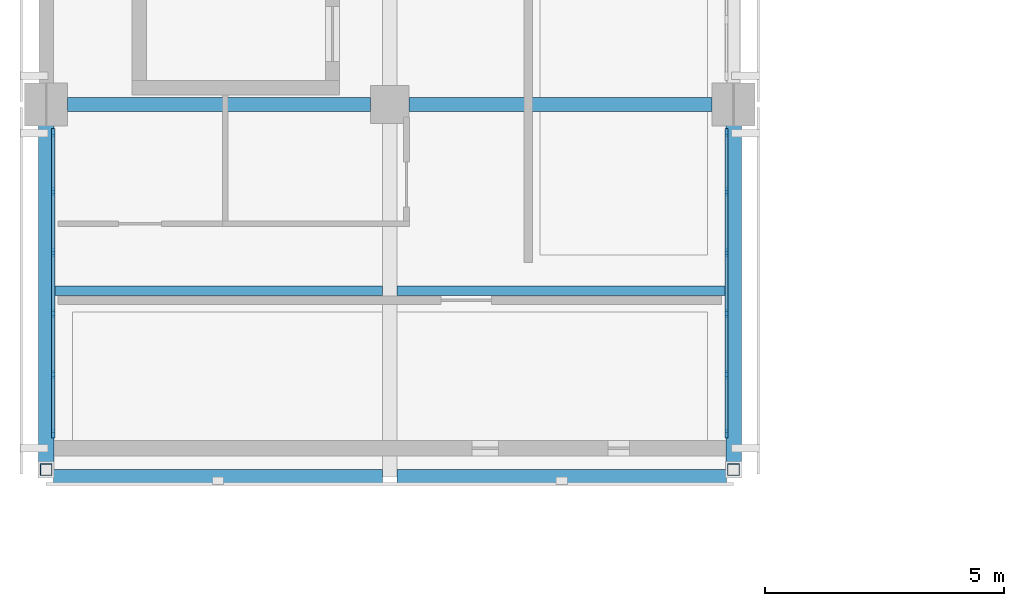
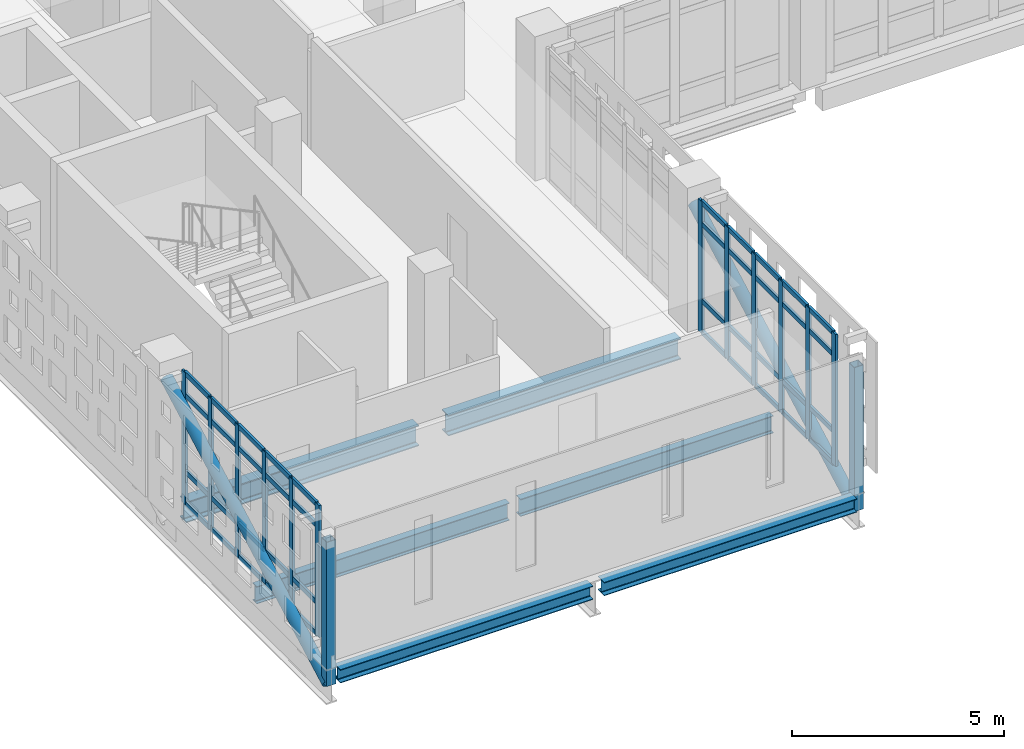
# One storey, part 9 of 62: 56 members, 6 beams, 2 elements without a shape of their own.
"""IFC4 building model written with IfcOpenShell, lengths in metres."""

from ifc_helpers import new_model, si_unit, direction, frame, origin, origin_2d, place, context, subcontext, project, spatial, rectangle, hollow_rectangle, hollow_circle, i_section, extrude, material, layer, layer_set, material_profile, profile_set, type_object, element, aggregate, save


model = new_model("IFC4")

# Units and contexts
model_context = context("Model", 3, precision=1e-05, world=origin(), true_north=direction((0.0, 1.0)))
body_context = subcontext(model_context, "Body", "Model", "MODEL_VIEW")
ifc_project = project(units=[si_unit("LENGTHUNIT", "METRE"), si_unit("AREAUNIT", "SQUARE_METRE"), si_unit("VOLUMEUNIT", "CUBIC_METRE"), si_unit("PLANEANGLEUNIT", "RADIAN"), si_unit("MASSUNIT", "GRAM", prefix="KILO")], contexts=[model_context])

# Site, building, storey
site_placement = place(None, origin())
site = spatial("IfcSite", under=ifc_project, at=site_placement, CompositionType="ELEMENT")
building_placement = place(site_placement, origin())
building = spatial("IfcBuilding", under=site, at=building_placement, Name="Valkovuoma Quantum and Materials Research Institute", CompositionType="ELEMENT")
storey_placement = place(building_placement, frame((0.0, 0.0, 8.9599609375)))
storey = spatial("IfcBuildingStorey", under=building, at=storey_placement, Name="L02", CompositionType="ELEMENT", Elevation=8.9599609375)

# Beams
ifc_material_1 = material(Name="Steel S355J2", Category="steel")
ifc_material_profile_1 = material_profile(ifc_material_1, i_section(OverallWidth=0.300048828125, OverallDepth=0.389892578125, WebThickness=0.010986328125, FlangeThickness=0.01904296875, FilletRadius=0.027099609375, at=origin_2d()), Name="Steel S355J2")
ifc_profile_set_1 = profile_set([ifc_material_profile_1], Name="Steel S355J2")
beam_type_1 = type_object("IfcBeamType", Name="Beam-B-HEA400", PredefinedType="SPANDREL", material=ifc_profile_set_1)
beam_1_placement = place(storey_placement, frame((0.14990234375, 21.0, -0.544921875), z_axis=(1.0, 0.0, 0.0), x_axis=(0.0, 1.0, 0.0)))
element("IfcBeam", 1, at=beam_1_placement, inside=storey, type_object=beam_type_1, Name="L02 cantilever tip beam 1", PredefinedType="SPANDREL", context=body_context, shape_type="SweptSolid", body=[
    extrude(i_section(OverallWidth=0.300048828125, OverallDepth=0.389892578125, WebThickness=0.010986328125, FlangeThickness=0.01904296875, FilletRadius=0.027099609375, at=origin_2d()), origin(), (0.0, 0.0, 1.0), 6.900146484375),
])
beam_2_placement = place(storey_placement, frame((7.35009765625, 21.0, -0.544921875), z_axis=(1.0, 0.0, 0.0), x_axis=(0.0, 1.0, 0.0)))
element("IfcBeam", 2, at=beam_2_placement, inside=storey, type_object=beam_type_1, Name="L02 cantilever tip beam 2", PredefinedType="SPANDREL", context=body_context, shape_type="SweptSolid", body=[
    extrude(i_section(OverallWidth=0.300048828125, OverallDepth=0.389892578125, WebThickness=0.010986328125, FlangeThickness=0.01904296875, FilletRadius=0.027099609375, at=origin_2d()), origin(), (0.0, 0.0, 1.0), 6.89990234375),
])
ifc_material_2 = material(Name="Steel S355J2", Category="steel")
ifc_material_profile_2 = material_profile(ifc_material_2, i_section(OverallWidth=0.300048828125, OverallDepth=0.60009765625, WebThickness=0.015380859375, FlangeThickness=0.030029296875, FilletRadius=0.027099609375, at=origin_2d()), Name="Steel S355J2")
ifc_profile_set_2 = profile_set([ifc_material_profile_2], Name="Steel S355J2")
beam_type_2 = type_object("IfcBeamType", Name="Beam-B-HEB600", PredefinedType="BEAM", material=ifc_profile_set_2)
beam_3_placement = place(storey_placement, frame((0.449951171875, 28.800048828125, -0.64990234375), z_axis=(1.0, 0.0, 0.0), x_axis=(0.0, 1.0, 0.0)))
element("IfcBeam", 3, at=beam_3_placement, inside=storey, type_object=beam_type_2, Name="L02 beam X-0993", PredefinedType="BEAM", context=body_context, shape_type="SweptSolid", body=[
    extrude(i_section(OverallWidth=0.300048828125, OverallDepth=0.60009765625, WebThickness=0.015380859375, FlangeThickness=0.030029296875, FilletRadius=0.027099609375, at=origin_2d()), origin(), (0.0, 0.0, 1.0), 6.35009765625),
])
beam_4_placement = place(storey_placement, frame((7.60009765625, 28.800048828125, -0.64990234375), z_axis=(1.0, 0.0, 0.0), x_axis=(0.0, 1.0, 0.0)))
element("IfcBeam", 4, at=beam_4_placement, inside=storey, type_object=beam_type_2, Name="L02 beam X-0994", PredefinedType="BEAM", context=body_context, shape_type="SweptSolid", body=[
    extrude(i_section(OverallWidth=0.300048828125, OverallDepth=0.60009765625, WebThickness=0.015380859375, FlangeThickness=0.030029296875, FilletRadius=0.027099609375, at=origin_2d()), origin(), (0.0, 0.0, 1.0), 6.349853515625),
])
ifc_material_3 = material(Name="Steel S355J2", Category="steel")
ifc_material_profile_3 = material_profile(ifc_material_3, i_section(OverallWidth=0.199951171875, OverallDepth=0.5, WebThickness=0.01025390625, FlangeThickness=0.01611328125, FilletRadius=0.02099609375, at=origin_2d()), Name="Steel S355J2")
ifc_profile_set_3 = profile_set([ifc_material_profile_3], Name="Steel S355J2")
beam_type_3 = type_object("IfcBeamType", Name="Beam-B-IPE500", PredefinedType="BEAM", material=ifc_profile_set_3)
beam_5_placement = place(storey_placement, frame((0.14990234375, 24.89990234375, -0.599853515625), z_axis=(1.0, 0.0, 0.0), x_axis=(0.0, 1.0, 0.0)))
element("IfcBeam", 5, at=beam_5_placement, inside=storey, type_object=beam_type_3, Name="L02 cantilever mid beam 1", PredefinedType="BEAM", context=body_context, shape_type="SweptSolid", body=[
    extrude(i_section(OverallWidth=0.199951171875, OverallDepth=0.5, WebThickness=0.01025390625, FlangeThickness=0.01611328125, FilletRadius=0.02099609375, at=origin_2d()), origin(), (0.0, 0.0, 1.0), 6.900146484375),
])
beam_6_placement = place(storey_placement, frame((7.35009765625, 24.89990234375, -0.599853515625), z_axis=(1.0, 0.0, 0.0), x_axis=(0.0, 1.0, 0.0)))
element("IfcBeam", 6, at=beam_6_placement, inside=storey, type_object=beam_type_3, Name="L02 cantilever mid beam 2", PredefinedType="BEAM", context=body_context, shape_type="SweptSolid", body=[
    extrude(i_section(OverallWidth=0.199951171875, OverallDepth=0.5, WebThickness=0.01025390625, FlangeThickness=0.01611328125, FilletRadius=0.02099609375, at=origin_2d()), origin(), (0.0, 0.0, 1.0), 6.89990234375),
])

# Curtain wall, members
ifc_material_4 = material(Name="Thermally broken aluminium and triple low-E glazing", Category="aluminium")
ifc_layer = layer(ifc_material_4, 0.219970703125)
ifc_layer_set = layer_set([ifc_layer], Name="Thermally broken aluminium and triple low-E glazing")
curtain_wall_type = type_object("IfcCurtainWallType", Name="CW-CW-01", PredefinedType="NOTDEFINED", material=ifc_layer_set)
curtain_wall_1_placement = place(storey_placement, origin())
curtain_wall_1 = element("IfcCurtainWall", 7, at=curtain_wall_1_placement, inside=storey, type_object=curtain_wall_type, Name="L02 curtain wall 018", PredefinedType="NOTDEFINED")
ifc_material_5 = material(Name="Anodised aluminium 6060-T66", Category="aluminium")
ifc_material_profile_4 = material_profile(ifc_material_5, rectangle(XDim=0.06494140625, YDim=0.179931640625, at=origin_2d()), Name="Anodised aluminium 6060-T66")
ifc_profile_set_4 = profile_set([ifc_material_profile_4], Name="Anodised aluminium 6060-T66")
member_type_1 = type_object("IfcMemberType", Name="CWMull-CWM-01", PredefinedType="MULLION", material=ifc_profile_set_4)
member_1_placement = place(storey_placement, frame((0.14990234375, 21.900390625, 0.0), z_axis=(0.0, 0.0, 1.0), x_axis=(-1.0, 0.0, 0.0)))
member_1 = element("IfcMember", 8, at=member_1_placement, type_object=member_type_1, Name="CW-01 mullion 1", PredefinedType="MULLION", context=body_context, shape_type="SweptSolid", body=[
    extrude(rectangle(XDim=0.06494140625, YDim=0.179931640625, at=origin_2d()), origin(), (0.0, 0.0, 1.0), 3.81005859375),
])
member_2_placement = place(storey_placement, frame((0.14990234375, 23.142822265625, 0.0), z_axis=(0.0, 0.0, 1.0), x_axis=(-1.0, 0.0, 0.0)))
member_2 = element("IfcMember", 9, at=member_2_placement, type_object=member_type_1, Name="CW-01 mullion 2", PredefinedType="MULLION", context=body_context, shape_type="SweptSolid", body=[
    extrude(rectangle(XDim=0.06494140625, YDim=0.179931640625, at=origin_2d()), origin(), (0.0, 0.0, 1.0), 3.81005859375),
])
member_3_placement = place(storey_placement, frame((0.14990234375, 24.41796875, 0.0), z_axis=(0.0, 0.0, 1.0), x_axis=(-1.0, 0.0, 0.0)))
member_3 = element("IfcMember", 10, at=member_3_placement, type_object=member_type_1, Name="CW-01 mullion 3", PredefinedType="MULLION", context=body_context, shape_type="SweptSolid", body=[
    extrude(rectangle(XDim=0.06494140625, YDim=0.179931640625, at=origin_2d()), origin(), (0.0, 0.0, 1.0), 3.81005859375),
])
member_4_placement = place(storey_placement, frame((0.14990234375, 25.69287109375, 0.0), z_axis=(0.0, 0.0, 1.0), x_axis=(-1.0, 0.0, 0.0)))
member_4 = element("IfcMember", 11, at=member_4_placement, type_object=member_type_1, Name="CW-01 mullion 4", PredefinedType="MULLION", context=body_context, shape_type="SweptSolid", body=[
    extrude(rectangle(XDim=0.06494140625, YDim=0.179931640625, at=origin_2d()), origin(), (0.0, 0.0, 1.0), 3.81005859375),
])
member_5_placement = place(storey_placement, frame((0.14990234375, 26.968017578125, 0.0), z_axis=(0.0, 0.0, 1.0), x_axis=(-1.0, 0.0, 0.0)))
member_5 = element("IfcMember", 12, at=member_5_placement, type_object=member_type_1, Name="CW-01 mullion 5", PredefinedType="MULLION", context=body_context, shape_type="SweptSolid", body=[
    extrude(rectangle(XDim=0.06494140625, YDim=0.179931640625, at=origin_2d()), origin(), (0.0, 0.0, 1.0), 3.81005859375),
])
member_6_placement = place(storey_placement, frame((0.14990234375, 28.21044921875, 0.0), z_axis=(0.0, 0.0, 1.0), x_axis=(-1.0, 0.0, 0.0)))
member_6 = element("IfcMember", 13, at=member_6_placement, type_object=member_type_1, Name="CW-01 mullion 6", PredefinedType="MULLION", context=body_context, shape_type="SweptSolid", body=[
    extrude(rectangle(XDim=0.06494140625, YDim=0.179931640625, at=origin_2d()), origin(), (0.0, 0.0, 1.0), 3.81005859375),
])

curtain_wall_2_placement = place(storey_placement, origin())
curtain_wall_2 = element("IfcCurtainWall", 14, at=curtain_wall_2_placement, inside=storey, type_object=curtain_wall_type, Name="L02 curtain wall 019", PredefinedType="NOTDEFINED")
member_7_placement = place(storey_placement, frame((14.25, 21.900390625, 0.0), z_axis=(0.0, 0.0, 1.0), x_axis=(-1.0, 0.0, 0.0)))
member_7 = element("IfcMember", 15, at=member_7_placement, type_object=member_type_1, Name="CW-01 mullion 1", PredefinedType="MULLION", context=body_context, shape_type="SweptSolid", body=[
    extrude(rectangle(XDim=0.06494140625, YDim=0.179931640625, at=origin_2d()), origin(), (0.0, 0.0, 1.0), 3.81005859375),
])
member_8_placement = place(storey_placement, frame((14.25, 23.142822265625, 0.0), z_axis=(0.0, 0.0, 1.0), x_axis=(-1.0, 0.0, 0.0)))
member_8 = element("IfcMember", 16, at=member_8_placement, type_object=member_type_1, Name="CW-01 mullion 2", PredefinedType="MULLION", context=body_context, shape_type="SweptSolid", body=[
    extrude(rectangle(XDim=0.06494140625, YDim=0.179931640625, at=origin_2d()), origin(), (0.0, 0.0, 1.0), 3.81005859375),
])
member_9_placement = place(storey_placement, frame((14.25, 24.41796875, 0.0), z_axis=(0.0, 0.0, 1.0), x_axis=(-1.0, 0.0, 0.0)))
member_9 = element("IfcMember", 17, at=member_9_placement, type_object=member_type_1, Name="CW-01 mullion 3", PredefinedType="MULLION", context=body_context, shape_type="SweptSolid", body=[
    extrude(rectangle(XDim=0.06494140625, YDim=0.179931640625, at=origin_2d()), origin(), (0.0, 0.0, 1.0), 3.81005859375),
])
member_10_placement = place(storey_placement, frame((14.25, 25.69287109375, 0.0), z_axis=(0.0, 0.0, 1.0), x_axis=(-1.0, 0.0, 0.0)))
member_10 = element("IfcMember", 18, at=member_10_placement, type_object=member_type_1, Name="CW-01 mullion 4", PredefinedType="MULLION", context=body_context, shape_type="SweptSolid", body=[
    extrude(rectangle(XDim=0.06494140625, YDim=0.179931640625, at=origin_2d()), origin(), (0.0, 0.0, 1.0), 3.81005859375),
])
member_11_placement = place(storey_placement, frame((14.25, 26.968017578125, 0.0), z_axis=(0.0, 0.0, 1.0), x_axis=(-1.0, 0.0, 0.0)))
member_11 = element("IfcMember", 19, at=member_11_placement, type_object=member_type_1, Name="CW-01 mullion 5", PredefinedType="MULLION", context=body_context, shape_type="SweptSolid", body=[
    extrude(rectangle(XDim=0.06494140625, YDim=0.179931640625, at=origin_2d()), origin(), (0.0, 0.0, 1.0), 3.81005859375),
])
member_12_placement = place(storey_placement, frame((14.25, 28.21044921875, 0.0), z_axis=(0.0, 0.0, 1.0), x_axis=(-1.0, 0.0, 0.0)))
member_12 = element("IfcMember", 20, at=member_12_placement, type_object=member_type_1, Name="CW-01 mullion 6", PredefinedType="MULLION", context=body_context, shape_type="SweptSolid", body=[
    extrude(rectangle(XDim=0.06494140625, YDim=0.179931640625, at=origin_2d()), origin(), (0.0, 0.0, 1.0), 3.81005859375),
])

# Member
ifc_material_6 = material(Name="Anodised aluminium 6060-T66", Category="aluminium")
ifc_material_profile_5 = material_profile(ifc_material_6, rectangle(XDim=0.06494140625, YDim=0.139892578125, at=origin_2d()), Name="Anodised aluminium 6060-T66")
ifc_profile_set_5 = profile_set([ifc_material_profile_5], Name="Anodised aluminium 6060-T66")
member_type_2 = type_object("IfcMemberType", Name="CWTran-CWT-01", PredefinedType="USERDEFINED", material=ifc_profile_set_5)
member_13_placement = place(storey_placement, frame((0.14990234375, 21.932861328125, 0.032470703125), z_axis=(0.0, 1.0, 0.0), x_axis=(-1.0, 0.0, 0.0)))
member_13 = element("IfcMember", 21, at=member_13_placement, type_object=member_type_2, Name="CW-01 transom 1.1", ObjectType="TRANSOM", PredefinedType="USERDEFINED", context=body_context, shape_type="SweptSolid", body=[
    extrude(rectangle(XDim=0.06494140625, YDim=0.139892578125, at=origin_2d()), origin(), (0.0, 0.0, 1.0), 1.177490234375),
])

member_14_placement = place(storey_placement, frame((0.14990234375, 21.932861328125, 0.949951171875), z_axis=(0.0, 1.0, 0.0), x_axis=(-1.0, 0.0, 0.0)))
member_14 = element("IfcMember", 22, at=member_14_placement, type_object=member_type_2, Name="CW-01 transom 1.2", ObjectType="TRANSOM", PredefinedType="USERDEFINED", context=body_context, shape_type="SweptSolid", body=[
    extrude(rectangle(XDim=0.06494140625, YDim=0.139892578125, at=origin_2d()), origin(), (0.0, 0.0, 1.0), 1.177490234375),
])

member_15_placement = place(storey_placement, frame((0.14990234375, 21.932861328125, 3.16015625), z_axis=(0.0, 1.0, 0.0), x_axis=(-1.0, 0.0, 0.0)))
member_15 = element("IfcMember", 23, at=member_15_placement, type_object=member_type_2, Name="CW-01 transom 1.3", ObjectType="TRANSOM", PredefinedType="USERDEFINED", context=body_context, shape_type="SweptSolid", body=[
    extrude(rectangle(XDim=0.06494140625, YDim=0.139892578125, at=origin_2d()), origin(), (0.0, 0.0, 1.0), 1.177490234375),
])

member_16_placement = place(storey_placement, frame((0.14990234375, 21.932861328125, 3.777587890625), z_axis=(0.0, 1.0, 0.0), x_axis=(-1.0, 0.0, 0.0)))
member_16 = element("IfcMember", 24, at=member_16_placement, type_object=member_type_2, Name="CW-01 transom 1.4", ObjectType="TRANSOM", PredefinedType="USERDEFINED", context=body_context, shape_type="SweptSolid", body=[
    extrude(rectangle(XDim=0.06494140625, YDim=0.139892578125, at=origin_2d()), origin(), (0.0, 0.0, 1.0), 1.177490234375),
])

member_17_placement = place(storey_placement, frame((0.14990234375, 23.17529296875, 0.032470703125), z_axis=(0.0, 1.0, 0.0), x_axis=(-1.0, 0.0, 0.0)))
member_17 = element("IfcMember", 25, at=member_17_placement, type_object=member_type_2, Name="CW-01 transom 2.1", ObjectType="TRANSOM", PredefinedType="USERDEFINED", context=body_context, shape_type="SweptSolid", body=[
    extrude(rectangle(XDim=0.06494140625, YDim=0.139892578125, at=origin_2d()), origin(), (0.0, 0.0, 1.0), 1.210205078125),
])

member_18_placement = place(storey_placement, frame((0.14990234375, 23.17529296875, 0.949951171875), z_axis=(0.0, 1.0, 0.0), x_axis=(-1.0, 0.0, 0.0)))
member_18 = element("IfcMember", 26, at=member_18_placement, type_object=member_type_2, Name="CW-01 transom 2.2", ObjectType="TRANSOM", PredefinedType="USERDEFINED", context=body_context, shape_type="SweptSolid", body=[
    extrude(rectangle(XDim=0.06494140625, YDim=0.139892578125, at=origin_2d()), origin(), (0.0, 0.0, 1.0), 1.210205078125),
])

member_19_placement = place(storey_placement, frame((0.14990234375, 23.17529296875, 3.16015625), z_axis=(0.0, 1.0, 0.0), x_axis=(-1.0, 0.0, 0.0)))
member_19 = element("IfcMember", 27, at=member_19_placement, type_object=member_type_2, Name="CW-01 transom 2.3", ObjectType="TRANSOM", PredefinedType="USERDEFINED", context=body_context, shape_type="SweptSolid", body=[
    extrude(rectangle(XDim=0.06494140625, YDim=0.139892578125, at=origin_2d()), origin(), (0.0, 0.0, 1.0), 1.210205078125),
])

member_20_placement = place(storey_placement, frame((0.14990234375, 23.17529296875, 3.777587890625), z_axis=(0.0, 1.0, 0.0), x_axis=(-1.0, 0.0, 0.0)))
member_20 = element("IfcMember", 28, at=member_20_placement, type_object=member_type_2, Name="CW-01 transom 2.4", ObjectType="TRANSOM", PredefinedType="USERDEFINED", context=body_context, shape_type="SweptSolid", body=[
    extrude(rectangle(XDim=0.06494140625, YDim=0.139892578125, at=origin_2d()), origin(), (0.0, 0.0, 1.0), 1.210205078125),
])

member_21_placement = place(storey_placement, frame((0.14990234375, 24.450439453125, 0.032470703125), z_axis=(0.0, 1.0, 0.0), x_axis=(-1.0, 0.0, 0.0)))
member_21 = element("IfcMember", 29, at=member_21_placement, type_object=member_type_2, Name="CW-01 transom 3.1", ObjectType="TRANSOM", PredefinedType="USERDEFINED", context=body_context, shape_type="SweptSolid", body=[
    extrude(rectangle(XDim=0.06494140625, YDim=0.139892578125, at=origin_2d()), origin(), (0.0, 0.0, 1.0), 1.2099609375),
])

member_22_placement = place(storey_placement, frame((0.14990234375, 24.450439453125, 0.949951171875), z_axis=(0.0, 1.0, 0.0), x_axis=(-1.0, 0.0, 0.0)))
member_22 = element("IfcMember", 30, at=member_22_placement, type_object=member_type_2, Name="CW-01 transom 3.2", ObjectType="TRANSOM", PredefinedType="USERDEFINED", context=body_context, shape_type="SweptSolid", body=[
    extrude(rectangle(XDim=0.06494140625, YDim=0.139892578125, at=origin_2d()), origin(), (0.0, 0.0, 1.0), 1.2099609375),
])

member_23_placement = place(storey_placement, frame((0.14990234375, 24.450439453125, 3.16015625), z_axis=(0.0, 1.0, 0.0), x_axis=(-1.0, 0.0, 0.0)))
member_23 = element("IfcMember", 31, at=member_23_placement, type_object=member_type_2, Name="CW-01 transom 3.3", ObjectType="TRANSOM", PredefinedType="USERDEFINED", context=body_context, shape_type="SweptSolid", body=[
    extrude(rectangle(XDim=0.06494140625, YDim=0.139892578125, at=origin_2d()), origin(), (0.0, 0.0, 1.0), 1.2099609375),
])

member_24_placement = place(storey_placement, frame((0.14990234375, 24.450439453125, 3.777587890625), z_axis=(0.0, 1.0, 0.0), x_axis=(-1.0, 0.0, 0.0)))
member_24 = element("IfcMember", 32, at=member_24_placement, type_object=member_type_2, Name="CW-01 transom 3.4", ObjectType="TRANSOM", PredefinedType="USERDEFINED", context=body_context, shape_type="SweptSolid", body=[
    extrude(rectangle(XDim=0.06494140625, YDim=0.139892578125, at=origin_2d()), origin(), (0.0, 0.0, 1.0), 1.2099609375),
])

member_25_placement = place(storey_placement, frame((0.14990234375, 25.725341796875, 0.032470703125), z_axis=(0.0, 1.0, 0.0), x_axis=(-1.0, 0.0, 0.0)))
member_25 = element("IfcMember", 33, at=member_25_placement, type_object=member_type_2, Name="CW-01 transom 4.1", ObjectType="TRANSOM", PredefinedType="USERDEFINED", context=body_context, shape_type="SweptSolid", body=[
    extrude(rectangle(XDim=0.06494140625, YDim=0.139892578125, at=origin_2d()), origin(), (0.0, 0.0, 1.0), 1.2099609375),
])

member_26_placement = place(storey_placement, frame((0.14990234375, 25.725341796875, 0.949951171875), z_axis=(0.0, 1.0, 0.0), x_axis=(-1.0, 0.0, 0.0)))
member_26 = element("IfcMember", 34, at=member_26_placement, type_object=member_type_2, Name="CW-01 transom 4.2", ObjectType="TRANSOM", PredefinedType="USERDEFINED", context=body_context, shape_type="SweptSolid", body=[
    extrude(rectangle(XDim=0.06494140625, YDim=0.139892578125, at=origin_2d()), origin(), (0.0, 0.0, 1.0), 1.2099609375),
])

member_27_placement = place(storey_placement, frame((0.14990234375, 25.725341796875, 3.16015625), z_axis=(0.0, 1.0, 0.0), x_axis=(-1.0, 0.0, 0.0)))
member_27 = element("IfcMember", 35, at=member_27_placement, type_object=member_type_2, Name="CW-01 transom 4.3", ObjectType="TRANSOM", PredefinedType="USERDEFINED", context=body_context, shape_type="SweptSolid", body=[
    extrude(rectangle(XDim=0.06494140625, YDim=0.139892578125, at=origin_2d()), origin(), (0.0, 0.0, 1.0), 1.2099609375),
])

member_28_placement = place(storey_placement, frame((0.14990234375, 25.725341796875, 3.777587890625), z_axis=(0.0, 1.0, 0.0), x_axis=(-1.0, 0.0, 0.0)))
member_28 = element("IfcMember", 36, at=member_28_placement, type_object=member_type_2, Name="CW-01 transom 4.4", ObjectType="TRANSOM", PredefinedType="USERDEFINED", context=body_context, shape_type="SweptSolid", body=[
    extrude(rectangle(XDim=0.06494140625, YDim=0.139892578125, at=origin_2d()), origin(), (0.0, 0.0, 1.0), 1.2099609375),
])

member_29_placement = place(storey_placement, frame((0.14990234375, 27.00048828125, 0.032470703125), z_axis=(0.0, 1.0, 0.0), x_axis=(-1.0, 0.0, 0.0)))
member_29 = element("IfcMember", 37, at=member_29_placement, type_object=member_type_2, Name="CW-01 transom 5.1", ObjectType="TRANSOM", PredefinedType="USERDEFINED", context=body_context, shape_type="SweptSolid", body=[
    extrude(rectangle(XDim=0.06494140625, YDim=0.139892578125, at=origin_2d()), origin(), (0.0, 0.0, 1.0), 1.177490234375),
])

member_30_placement = place(storey_placement, frame((0.14990234375, 27.00048828125, 0.949951171875), z_axis=(0.0, 1.0, 0.0), x_axis=(-1.0, 0.0, 0.0)))
member_30 = element("IfcMember", 38, at=member_30_placement, type_object=member_type_2, Name="CW-01 transom 5.2", ObjectType="TRANSOM", PredefinedType="USERDEFINED", context=body_context, shape_type="SweptSolid", body=[
    extrude(rectangle(XDim=0.06494140625, YDim=0.139892578125, at=origin_2d()), origin(), (0.0, 0.0, 1.0), 1.177490234375),
])

member_31_placement = place(storey_placement, frame((0.14990234375, 27.00048828125, 3.16015625), z_axis=(0.0, 1.0, 0.0), x_axis=(-1.0, 0.0, 0.0)))
member_31 = element("IfcMember", 39, at=member_31_placement, type_object=member_type_2, Name="CW-01 transom 5.3", ObjectType="TRANSOM", PredefinedType="USERDEFINED", context=body_context, shape_type="SweptSolid", body=[
    extrude(rectangle(XDim=0.06494140625, YDim=0.139892578125, at=origin_2d()), origin(), (0.0, 0.0, 1.0), 1.177490234375),
])

member_32_placement = place(storey_placement, frame((0.14990234375, 27.00048828125, 3.777587890625), z_axis=(0.0, 1.0, 0.0), x_axis=(-1.0, 0.0, 0.0)))
member_32 = element("IfcMember", 40, at=member_32_placement, type_object=member_type_2, Name="CW-01 transom 5.4", ObjectType="TRANSOM", PredefinedType="USERDEFINED", context=body_context, shape_type="SweptSolid", body=[
    extrude(rectangle(XDim=0.06494140625, YDim=0.139892578125, at=origin_2d()), origin(), (0.0, 0.0, 1.0), 1.177490234375),
])

aggregate(curtain_wall_1, [member_1, member_2, member_3, member_4, member_5, member_6, member_13, member_14, member_15, member_16, member_17, member_18, member_19, member_20, member_21, member_22, member_23, member_24, member_25, member_26, member_27, member_28, member_29, member_30, member_31, member_32])

member_33_placement = place(storey_placement, frame((14.25, 21.932861328125, 0.032470703125), z_axis=(0.0, 1.0, 0.0), x_axis=(-1.0, 0.0, 0.0)))
member_33 = element("IfcMember", 41, at=member_33_placement, type_object=member_type_2, Name="CW-01 transom 1.1", ObjectType="TRANSOM", PredefinedType="USERDEFINED", context=body_context, shape_type="SweptSolid", body=[
    extrude(rectangle(XDim=0.06494140625, YDim=0.139892578125, at=origin_2d()), origin(), (0.0, 0.0, 1.0), 1.177490234375),
])

member_34_placement = place(storey_placement, frame((14.25, 21.932861328125, 0.949951171875), z_axis=(0.0, 1.0, 0.0), x_axis=(-1.0, 0.0, 0.0)))
member_34 = element("IfcMember", 42, at=member_34_placement, type_object=member_type_2, Name="CW-01 transom 1.2", ObjectType="TRANSOM", PredefinedType="USERDEFINED", context=body_context, shape_type="SweptSolid", body=[
    extrude(rectangle(XDim=0.06494140625, YDim=0.139892578125, at=origin_2d()), origin(), (0.0, 0.0, 1.0), 1.177490234375),
])

member_35_placement = place(storey_placement, frame((14.25, 21.932861328125, 3.16015625), z_axis=(0.0, 1.0, 0.0), x_axis=(-1.0, 0.0, 0.0)))
member_35 = element("IfcMember", 43, at=member_35_placement, type_object=member_type_2, Name="CW-01 transom 1.3", ObjectType="TRANSOM", PredefinedType="USERDEFINED", context=body_context, shape_type="SweptSolid", body=[
    extrude(rectangle(XDim=0.06494140625, YDim=0.139892578125, at=origin_2d()), origin(), (0.0, 0.0, 1.0), 1.177490234375),
])

member_36_placement = place(storey_placement, frame((14.25, 21.932861328125, 3.777587890625), z_axis=(0.0, 1.0, 0.0), x_axis=(-1.0, 0.0, 0.0)))
member_36 = element("IfcMember", 44, at=member_36_placement, type_object=member_type_2, Name="CW-01 transom 1.4", ObjectType="TRANSOM", PredefinedType="USERDEFINED", context=body_context, shape_type="SweptSolid", body=[
    extrude(rectangle(XDim=0.06494140625, YDim=0.139892578125, at=origin_2d()), origin(), (0.0, 0.0, 1.0), 1.177490234375),
])

member_37_placement = place(storey_placement, frame((14.25, 23.17529296875, 0.032470703125), z_axis=(0.0, 1.0, 0.0), x_axis=(-1.0, 0.0, 0.0)))
member_37 = element("IfcMember", 45, at=member_37_placement, type_object=member_type_2, Name="CW-01 transom 2.1", ObjectType="TRANSOM", PredefinedType="USERDEFINED", context=body_context, shape_type="SweptSolid", body=[
    extrude(rectangle(XDim=0.06494140625, YDim=0.139892578125, at=origin_2d()), origin(), (0.0, 0.0, 1.0), 1.210205078125),
])

member_38_placement = place(storey_placement, frame((14.25, 23.17529296875, 0.949951171875), z_axis=(0.0, 1.0, 0.0), x_axis=(-1.0, 0.0, 0.0)))
member_38 = element("IfcMember", 46, at=member_38_placement, type_object=member_type_2, Name="CW-01 transom 2.2", ObjectType="TRANSOM", PredefinedType="USERDEFINED", context=body_context, shape_type="SweptSolid", body=[
    extrude(rectangle(XDim=0.06494140625, YDim=0.139892578125, at=origin_2d()), origin(), (0.0, 0.0, 1.0), 1.210205078125),
])

member_39_placement = place(storey_placement, frame((14.25, 23.17529296875, 3.16015625), z_axis=(0.0, 1.0, 0.0), x_axis=(-1.0, 0.0, 0.0)))
member_39 = element("IfcMember", 47, at=member_39_placement, type_object=member_type_2, Name="CW-01 transom 2.3", ObjectType="TRANSOM", PredefinedType="USERDEFINED", context=body_context, shape_type="SweptSolid", body=[
    extrude(rectangle(XDim=0.06494140625, YDim=0.139892578125, at=origin_2d()), origin(), (0.0, 0.0, 1.0), 1.210205078125),
])

member_40_placement = place(storey_placement, frame((14.25, 23.17529296875, 3.777587890625), z_axis=(0.0, 1.0, 0.0), x_axis=(-1.0, 0.0, 0.0)))
member_40 = element("IfcMember", 48, at=member_40_placement, type_object=member_type_2, Name="CW-01 transom 2.4", ObjectType="TRANSOM", PredefinedType="USERDEFINED", context=body_context, shape_type="SweptSolid", body=[
    extrude(rectangle(XDim=0.06494140625, YDim=0.139892578125, at=origin_2d()), origin(), (0.0, 0.0, 1.0), 1.210205078125),
])

member_41_placement = place(storey_placement, frame((14.25, 24.450439453125, 0.032470703125), z_axis=(0.0, 1.0, 0.0), x_axis=(-1.0, 0.0, 0.0)))
member_41 = element("IfcMember", 49, at=member_41_placement, type_object=member_type_2, Name="CW-01 transom 3.1", ObjectType="TRANSOM", PredefinedType="USERDEFINED", context=body_context, shape_type="SweptSolid", body=[
    extrude(rectangle(XDim=0.06494140625, YDim=0.139892578125, at=origin_2d()), origin(), (0.0, 0.0, 1.0), 1.2099609375),
])

member_42_placement = place(storey_placement, frame((14.25, 24.450439453125, 0.949951171875), z_axis=(0.0, 1.0, 0.0), x_axis=(-1.0, 0.0, 0.0)))
member_42 = element("IfcMember", 50, at=member_42_placement, type_object=member_type_2, Name="CW-01 transom 3.2", ObjectType="TRANSOM", PredefinedType="USERDEFINED", context=body_context, shape_type="SweptSolid", body=[
    extrude(rectangle(XDim=0.06494140625, YDim=0.139892578125, at=origin_2d()), origin(), (0.0, 0.0, 1.0), 1.2099609375),
])

member_43_placement = place(storey_placement, frame((14.25, 24.450439453125, 3.16015625), z_axis=(0.0, 1.0, 0.0), x_axis=(-1.0, 0.0, 0.0)))
member_43 = element("IfcMember", 51, at=member_43_placement, type_object=member_type_2, Name="CW-01 transom 3.3", ObjectType="TRANSOM", PredefinedType="USERDEFINED", context=body_context, shape_type="SweptSolid", body=[
    extrude(rectangle(XDim=0.06494140625, YDim=0.139892578125, at=origin_2d()), origin(), (0.0, 0.0, 1.0), 1.2099609375),
])

member_44_placement = place(storey_placement, frame((14.25, 24.450439453125, 3.777587890625), z_axis=(0.0, 1.0, 0.0), x_axis=(-1.0, 0.0, 0.0)))
member_44 = element("IfcMember", 52, at=member_44_placement, type_object=member_type_2, Name="CW-01 transom 3.4", ObjectType="TRANSOM", PredefinedType="USERDEFINED", context=body_context, shape_type="SweptSolid", body=[
    extrude(rectangle(XDim=0.06494140625, YDim=0.139892578125, at=origin_2d()), origin(), (0.0, 0.0, 1.0), 1.2099609375),
])

member_45_placement = place(storey_placement, frame((14.25, 25.725341796875, 0.032470703125), z_axis=(0.0, 1.0, 0.0), x_axis=(-1.0, 0.0, 0.0)))
member_45 = element("IfcMember", 53, at=member_45_placement, type_object=member_type_2, Name="CW-01 transom 4.1", ObjectType="TRANSOM", PredefinedType="USERDEFINED", context=body_context, shape_type="SweptSolid", body=[
    extrude(rectangle(XDim=0.06494140625, YDim=0.139892578125, at=origin_2d()), origin(), (0.0, 0.0, 1.0), 1.2099609375),
])

member_46_placement = place(storey_placement, frame((14.25, 25.725341796875, 0.949951171875), z_axis=(0.0, 1.0, 0.0), x_axis=(-1.0, 0.0, 0.0)))
member_46 = element("IfcMember", 54, at=member_46_placement, type_object=member_type_2, Name="CW-01 transom 4.2", ObjectType="TRANSOM", PredefinedType="USERDEFINED", context=body_context, shape_type="SweptSolid", body=[
    extrude(rectangle(XDim=0.06494140625, YDim=0.139892578125, at=origin_2d()), origin(), (0.0, 0.0, 1.0), 1.2099609375),
])

member_47_placement = place(storey_placement, frame((14.25, 25.725341796875, 3.16015625), z_axis=(0.0, 1.0, 0.0), x_axis=(-1.0, 0.0, 0.0)))
member_47 = element("IfcMember", 55, at=member_47_placement, type_object=member_type_2, Name="CW-01 transom 4.3", ObjectType="TRANSOM", PredefinedType="USERDEFINED", context=body_context, shape_type="SweptSolid", body=[
    extrude(rectangle(XDim=0.06494140625, YDim=0.139892578125, at=origin_2d()), origin(), (0.0, 0.0, 1.0), 1.2099609375),
])

member_48_placement = place(storey_placement, frame((14.25, 25.725341796875, 3.777587890625), z_axis=(0.0, 1.0, 0.0), x_axis=(-1.0, 0.0, 0.0)))
member_48 = element("IfcMember", 56, at=member_48_placement, type_object=member_type_2, Name="CW-01 transom 4.4", ObjectType="TRANSOM", PredefinedType="USERDEFINED", context=body_context, shape_type="SweptSolid", body=[
    extrude(rectangle(XDim=0.06494140625, YDim=0.139892578125, at=origin_2d()), origin(), (0.0, 0.0, 1.0), 1.2099609375),
])

member_49_placement = place(storey_placement, frame((14.25, 27.00048828125, 0.032470703125), z_axis=(0.0, 1.0, 0.0), x_axis=(-1.0, 0.0, 0.0)))
member_49 = element("IfcMember", 57, at=member_49_placement, type_object=member_type_2, Name="CW-01 transom 5.1", ObjectType="TRANSOM", PredefinedType="USERDEFINED", context=body_context, shape_type="SweptSolid", body=[
    extrude(rectangle(XDim=0.06494140625, YDim=0.139892578125, at=origin_2d()), origin(), (0.0, 0.0, 1.0), 1.177490234375),
])

member_50_placement = place(storey_placement, frame((14.25, 27.00048828125, 0.949951171875), z_axis=(0.0, 1.0, 0.0), x_axis=(-1.0, 0.0, 0.0)))
member_50 = element("IfcMember", 58, at=member_50_placement, type_object=member_type_2, Name="CW-01 transom 5.2", ObjectType="TRANSOM", PredefinedType="USERDEFINED", context=body_context, shape_type="SweptSolid", body=[
    extrude(rectangle(XDim=0.06494140625, YDim=0.139892578125, at=origin_2d()), origin(), (0.0, 0.0, 1.0), 1.177490234375),
])

member_51_placement = place(storey_placement, frame((14.25, 27.00048828125, 3.16015625), z_axis=(0.0, 1.0, 0.0), x_axis=(-1.0, 0.0, 0.0)))
member_51 = element("IfcMember", 59, at=member_51_placement, type_object=member_type_2, Name="CW-01 transom 5.3", ObjectType="TRANSOM", PredefinedType="USERDEFINED", context=body_context, shape_type="SweptSolid", body=[
    extrude(rectangle(XDim=0.06494140625, YDim=0.139892578125, at=origin_2d()), origin(), (0.0, 0.0, 1.0), 1.177490234375),
])

member_52_placement = place(storey_placement, frame((14.25, 27.00048828125, 3.777587890625), z_axis=(0.0, 1.0, 0.0), x_axis=(-1.0, 0.0, 0.0)))
member_52 = element("IfcMember", 60, at=member_52_placement, type_object=member_type_2, Name="CW-01 transom 5.4", ObjectType="TRANSOM", PredefinedType="USERDEFINED", context=body_context, shape_type="SweptSolid", body=[
    extrude(rectangle(XDim=0.06494140625, YDim=0.139892578125, at=origin_2d()), origin(), (0.0, 0.0, 1.0), 1.177490234375),
])

aggregate(curtain_wall_2, [member_7, member_8, member_9, member_10, member_11, member_12, member_33, member_34, member_35, member_36, member_37, member_38, member_39, member_40, member_41, member_42, member_43, member_44, member_45, member_46, member_47, member_48, member_49, member_50, member_51, member_52])

# Members
ifc_material_7 = material(Name="Steel S355J2H", Category="steel")
ifc_material_profile_6 = material_profile(ifc_material_7, hollow_circle(Radius=0.161865234375, WallThickness=0.01611328125, at=origin_2d()), Name="Steel S355J2H")
ifc_profile_set_6 = profile_set([ifc_material_profile_6], Name="Steel S355J2H")
member_type_3 = type_object("IfcMemberType", Name="Mem-M-BRC324", PredefinedType="BRACE", material=ifc_profile_set_6)
for number, where, z_axis, x_axis, name in (
    (61, (0.0, 21.14990234375, -0.849853515625), (0.0, 0.878517344003, 0.477710452352), (-1.0, 0.0, 0.0), "L02 cantilever overhang diagonal 0"),
    (62, (14.39990234375, 21.14990234375, -0.849853515625), (0.0, 0.878517344003, 0.477710452352), (-1.0, 0.0, 0.0), "L02 cantilever overhang diagonal 1"),
):
    element("IfcMember", number, at=place(storey_placement, frame(where, z_axis=z_axis, x_axis=x_axis)), inside=storey, type_object=member_type_3, Name=name, PredefinedType="BRACE", context=body_context, shape_type="SweptSolid", body=[
        extrude(hollow_circle(Radius=0.161865234375, WallThickness=0.01611328125, at=origin_2d()), origin(), (0.0, 0.0, 1.0), 8.7080078125),
    ])
ifc_material_8 = material(Name="Steel S355J2H", Category="steel")
ifc_material_profile_7 = material_profile(ifc_material_8, hollow_rectangle(XDim=0.25, YDim=0.25, WallThickness=0.012451171875, at=origin_2d()), Name="Steel S355J2H")
ifc_profile_set_7 = profile_set([ifc_material_profile_7], Name="Steel S355J2H")
member_type_4 = type_object("IfcMemberType", Name="Mem-M-STR250", PredefinedType="STRUT", material=ifc_profile_set_7)
for number, where, z_axis, x_axis, name in (
    (63, (0.0, 21.14990234375, -0.849853515625), (0.0, 0.0, 1.0), (1.0, 0.0, 0.0), "L02 cantilever tip strut 0"),
    (64, (14.39990234375, 21.14990234375, -0.849853515625), (0.0, 0.0, 1.0), (1.0, 0.0, 0.0), "L02 cantilever tip strut 1"),
):
    element("IfcMember", number, at=place(storey_placement, frame(where, z_axis=z_axis, x_axis=x_axis)), inside=storey, type_object=member_type_4, Name=name, PredefinedType="STRUT", context=body_context, shape_type="SweptSolid", body=[
        extrude(hollow_rectangle(XDim=0.25, YDim=0.25, WallThickness=0.012451171875, at=origin_2d()), origin(), (0.0, 0.0, 1.0), 4.159912109375),
    ])

save(model, "model.ifc")
